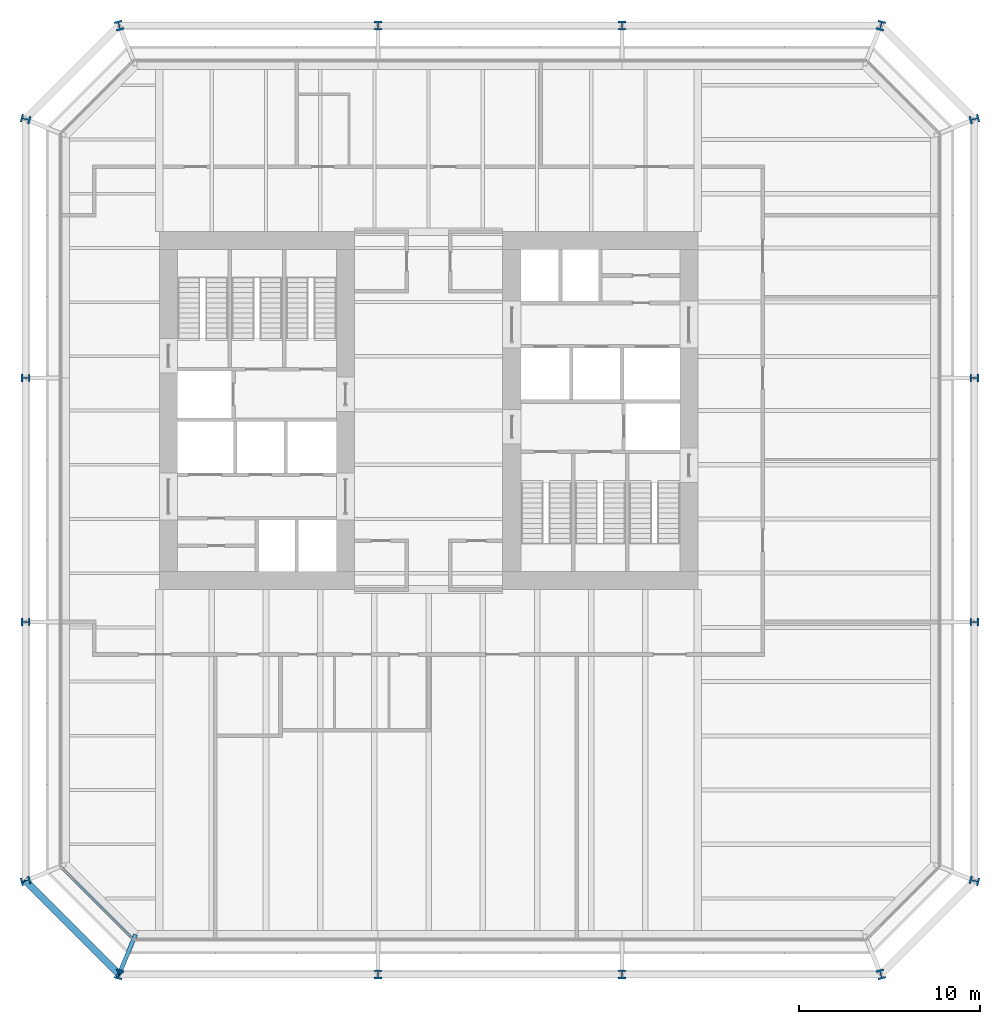
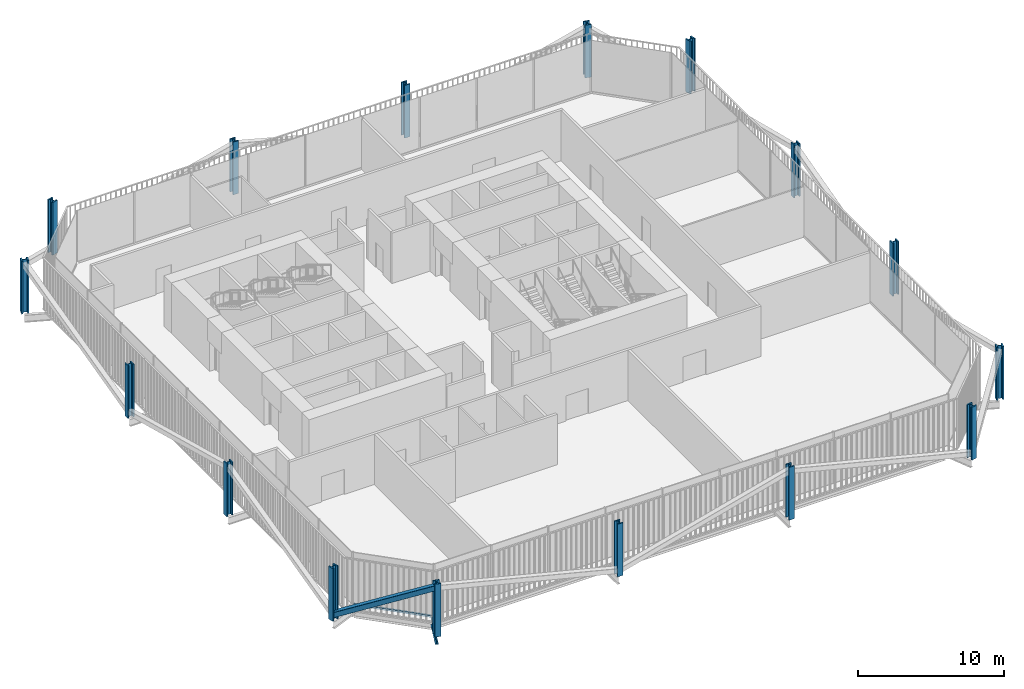
# One storey, part 1 of 21: 16 columns, 2 members, 1 beam, 1 element without a shape of its own.
"""IFC4 building model written with IfcOpenShell, lengths in metres."""

import ifcopenshell
import ifcopenshell.guid

model = None  # the IFC model being written
_history = None  # IfcOwnerHistory: only IFC2X3 demands one
_inside = {}  # id of a spatial element -> (the spatial element, [elements in it])
_under = {}  # id of a project, library or spatial element -> (it, [spatial elements below it])
_declared = {}  # id of a project -> (the project, [libraries it declares])
_typed = {}  # id of a type object -> (the type object, [elements of that type])
_made_of = {}  # id of a material, layer set ... -> (it, [elements and type objects made of it])


def new_model(schema):
    """Start an empty IFC model of exactly this schema.

    Asked for "IFC4X3", IfcOpenShell would pick the latest addendum, in which some entities
    have other attributes; the version numbers below select the first issue.
    IFC2X3 requires an IfcOwnerHistory on every rooted entity: one is made here for all.
    """
    global model, _history
    if schema == "IFC4X3":
        model = ifcopenshell.file(schema_version=(4, 3, 0, 0))
    else:
        model = ifcopenshell.file(schema=schema)
    _inside.clear()
    _under.clear()
    _declared.clear()
    _typed.clear()
    _made_of.clear()
    _history = None
    if model.schema == "IFC2X3":
        org = make("IfcOrganization", Name="unknown")
        user = make(
            "IfcPersonAndOrganization",
            ThePerson=make("IfcPerson", FamilyName="unknown"),
            TheOrganization=org,
        )
        app = make(
            "IfcApplication",
            ApplicationDeveloper=org,
            Version="unknown",
            ApplicationFullName="unknown",
            ApplicationIdentifier="unknown",
        )
        _history = make(
            "IfcOwnerHistory",
            OwningUser=user,
            OwningApplication=app,
            ChangeAction="ADDED",
            CreationDate=0,
        )
    return model


def make(cls, **values):
    """One entity of the class cls with the attributes given. An attribute that is None is left unset."""
    return model.create_entity(
        cls, **{name: value for name, value in values.items() if value is not None}
    )


def rooted(cls, **values):
    """An entity with a GlobalId (a new one), such as an element, a storey or a relation."""
    return make(cls, GlobalId=ifcopenshell.guid.new(), OwnerHistory=_history, **values)


def si_unit(unit_type, name, prefix=None):
    """IfcSIUnit, for example si_unit("LENGTHUNIT", "METRE", prefix="MILLI")."""
    return make("IfcSIUnit", UnitType=unit_type, Prefix=prefix, Name=name)


def assignment(units):
    """IfcUnitAssignment: the units of a project."""
    return None if units is None else make("IfcUnitAssignment", Units=units)


def point(xyz):
    """IfcCartesianPoint."""
    return None if xyz is None else make("IfcCartesianPoint", Coordinates=xyz)


def direction(xyz):
    """IfcDirection."""
    return None if xyz is None else make("IfcDirection", DirectionRatios=xyz)


def frame(location, z_axis=None, x_axis=None):
    """IfcAxis2Placement3D, a coordinate frame: its origin and axes. An axis left out is left unset."""
    return make(
        "IfcAxis2Placement3D",
        Location=point(location),
        Axis=direction(z_axis),
        RefDirection=direction(x_axis),
    )


def frame_2d(location, x_axis=None):
    """IfcAxis2Placement2D, a coordinate frame in the plane: its origin and x axis."""
    return make(
        "IfcAxis2Placement2D", Location=point(location), RefDirection=direction(x_axis)
    )


def origin():
    """The frame at (0, 0, 0) with its axes left unset."""
    return frame((0.0, 0.0, 0.0))


def origin_2d():
    """The frame at (0, 0) in the plane with its x axis left unset."""
    return frame_2d((0.0, 0.0))


def place(relative_to, where):
    """IfcLocalPlacement: puts the frame where relative to a parent placement (None: the world)."""
    return make(
        "IfcLocalPlacement", PlacementRelTo=relative_to, RelativePlacement=where
    )


def context(
    kind, dimensions, precision=None, world=None, true_north=None, identifier=None
):
    """IfcGeometricRepresentationContext, for example the 3D "Model" context."""
    return make(
        "IfcGeometricRepresentationContext",
        ContextIdentifier=identifier,
        ContextType=kind,
        CoordinateSpaceDimension=dimensions,
        Precision=precision,
        WorldCoordinateSystem=world,
        TrueNorth=true_north,
    )


def subcontext(parent, identifier, kind, view, scale=None):
    """IfcGeometricRepresentationSubContext, for example "Body" below "Model"."""
    return make(
        "IfcGeometricRepresentationSubContext",
        ContextIdentifier=identifier,
        ContextType=kind,
        ParentContext=parent,
        TargetScale=scale,
        TargetView=view,
    )


def project(units=None, contexts=None):
    """IfcProject with its units and contexts."""
    return rooted(
        "IfcProject",
        Name="project",
        RepresentationContexts=contexts,
        UnitsInContext=assignment(units),
    )


def spatial(cls, under=None, at=None, **own):
    """A site, building, storey or space (cls), placed at a placement, below another one or the project."""
    s = rooted(cls, ObjectPlacement=at, **own)
    if under is not None:
        _under.setdefault(under.id(), (under, []))[1].append(s)
    return s


def profile(cls, at=None, kind="AREA", **sizes):
    """A parametric profile (cls). Its sizes go by their IFC names, for example OverallWidth=200.0."""
    return make(cls, ProfileType=kind, Position=at, **sizes)


def rectangle(**sizes):
    """IfcRectangleProfileDef."""
    return profile("IfcRectangleProfileDef", **sizes)


def hollow_rectangle(**sizes):
    """IfcRectangleHollowProfileDef."""
    return profile("IfcRectangleHollowProfileDef", **sizes)


def i_section(**sizes):
    """IfcIShapeProfileDef."""
    return profile("IfcIShapeProfileDef", **sizes)


def extrude(swept, where, along, depth):
    """IfcExtrudedAreaSolid: the profile swept, set in the frame where, extruded along a direction by depth."""
    return make(
        "IfcExtrudedAreaSolid",
        SweptArea=swept,
        Position=where,
        ExtrudedDirection=direction(along),
        Depth=depth,
    )


def shape(context_of_items, identifier, shape_type, items):
    """IfcShapeRepresentation: the items that make up one representation, for example the "Body"."""
    return make(
        "IfcShapeRepresentation",
        ContextOfItems=context_of_items,
        RepresentationIdentifier=identifier,
        RepresentationType=shape_type,
        Items=items,
    )


def material(Name=None, Category=None):
    """IfcMaterial."""
    return make("IfcMaterial", Name=Name, Category=Category)


def layer(
    of_material, thickness, ventilated=None, Name=None, Category=None, Priority=None
):
    """IfcMaterialLayer: one layer of a wall or slab, of a material (None: an air gap)."""
    return make(
        "IfcMaterialLayer",
        Material=of_material,
        LayerThickness=thickness,
        IsVentilated=ventilated,
        Name=Name,
        Category=Category,
        Priority=Priority,
    )


def layer_set(layers, Name=None):
    """IfcMaterialLayerSet."""
    return make("IfcMaterialLayerSet", MaterialLayers=layers, LayerSetName=Name)


def material_profile(
    of_material, cross_section, Name=None, Category=None, Priority=None
):
    """IfcMaterialProfile: a cross section and its material."""
    return make(
        "IfcMaterialProfile",
        Name=Name,
        Material=of_material,
        Profile=cross_section,
        Priority=Priority,
        Category=Category,
    )


def profile_set(profiles, Name=None, composite=None):
    """IfcMaterialProfileSet."""
    return make(
        "IfcMaterialProfileSet",
        Name=Name,
        MaterialProfiles=profiles,
        CompositeProfile=composite,
    )


def made_of(thing, what):
    """Note that an element or type object is made of a material, layer set ...; save() writes the relation."""
    if what is not None:
        _made_of.setdefault(what.id(), (what, []))[1].append(thing)
    return thing


def type_object(cls, material=None, **own):
    """A type object (cls), such as IfcWallType, which elements share."""
    return made_of(rooted(cls, **own), material)


def element(
    cls,
    number,
    at=None,
    inside=None,
    cuts=None,
    type_object=None,
    material=None,
    context=None,
    identifier="Body",
    shape_type=None,
    held_by="IfcProductDefinitionShape",
    body=None,
    shapes=None,
    **own,
):
    """One element of the class cls, such as IfcWall. Its Tag is "e" and its number.

    at: its placement. inside: the storey or other place that contains it. cuts: it is an
    opening in that element (IfcRelVoidsElement). A single representation is given by context,
    identifier, shape_type and body (its items); several are given by shapes. held_by: the class
    of the entity that holds the representations. save() writes the other relations.
    """
    e = rooted(cls, Tag="e%d" % number, ObjectPlacement=at, **own)
    if body is not None:
        shapes = [shape(context, identifier, shape_type, body)]
    if shapes is not None:
        e.Representation = make(held_by, Representations=shapes)
    if inside is not None:
        _inside.setdefault(inside.id(), (inside, []))[1].append(e)
    if cuts is not None:
        rooted(
            "IfcRelVoidsElement", RelatingBuildingElement=cuts, RelatedOpeningElement=e
        )
    if type_object is not None:
        _typed.setdefault(type_object.id(), (type_object, []))[1].append(e)
    return made_of(e, material)


def aggregate(whole, parts):
    """IfcRelAggregates: a whole, such as a stair, and the parts it consists of."""
    return rooted("IfcRelAggregates", RelatingObject=whole, RelatedObjects=parts)


def save(model, path):
    """Write the relations noted so far, then the file.

    IfcRelAggregates (storeys below a building ...), IfcRelContainedInSpatialStructure (elements
    in a storey), IfcRelDefinesByType, IfcRelAssociatesMaterial and IfcRelDeclares: one each for
    every whole, place, type object, material and project.
    """
    for whole, parts in _under.values():
        aggregate(whole, parts)
    for where, things in _inside.values():
        rooted(
            "IfcRelContainedInSpatialStructure",
            RelatedElements=things,
            RelatingStructure=where,
        )
    for kind, things in _typed.values():
        rooted("IfcRelDefinesByType", RelatedObjects=things, RelatingType=kind)
    for what, things in _made_of.values():
        rooted("IfcRelAssociatesMaterial", RelatedObjects=things, RelatingMaterial=what)
    for by, libraries in _declared.values():
        rooted("IfcRelDeclares", RelatingContext=by, RelatedDefinitions=libraries)
    model.write(path)


model = new_model("IFC4")

# Units and contexts
model_context = context("Model", 3, precision=1e-05, world=origin(), true_north=direction((0.0, 1.0)))
body_context = subcontext(model_context, "Body", "Model", "MODEL_VIEW")
ifc_project = project(units=[si_unit("LENGTHUNIT", "METRE"), si_unit("AREAUNIT", "SQUARE_METRE"), si_unit("VOLUMEUNIT", "CUBIC_METRE"), si_unit("PLANEANGLEUNIT", "RADIAN"), si_unit("MASSUNIT", "GRAM", prefix="KILO")], contexts=[model_context])

# Site, building, storey
site_placement = place(None, origin())
site = spatial("IfcSite", under=ifc_project, at=site_placement, CompositionType="ELEMENT")
building_placement = place(site_placement, origin())
building = spatial("IfcBuilding", under=site, at=building_placement, Name="Millrace Tower", CompositionType="ELEMENT")
storey_placement = place(building_placement, frame((0.0, 0.0, 90.800048828125)))
storey = spatial("IfcBuildingStorey", under=building, at=storey_placement, Name="L20", CompositionType="ELEMENT", Elevation=90.800048828125)

# Columns
ifc_material_1 = material(Name="Steel ASTM A913 Grade 65", Category="steel")
ifc_material_profile_1 = material_profile(ifc_material_1, i_section(OverallWidth=0.431884765625, OverallDepth=0.497802734375, WebThickness=0.0556640625, FlangeThickness=0.0888671875, FilletRadius=0.01513671875, at=origin_2d()))
ifc_profile_set_1 = profile_set([ifc_material_profile_1], Name="Steel ASTM A913 Grade 65")
column_type_1 = type_object("IfcColumnType", Name="Exoskeleton column W14x500", PredefinedType="COLUMN", material=ifc_profile_set_1)
for number, where, z_axis, x_axis, name in (
    (1, (-2.800048828125, -31.199951171875, 0.0), (0.0, 0.0, 1.0), (1.0, 0.0, 0.0), "COL-B-L20-X03"),
    (2, (10.699951171875, -31.199951171875, 0.0), (0.0, 0.0, 1.0), (1.0, 0.0, 0.0), "COL-B-L20-X04"),
    (3, (30.199951171875, -11.699951171875, 0.0), (0.0, 0.0, 1.0), (0.0, 1.0, 0.0), "COL-B-L20-X07"),
    (4, (30.199951171875, 1.800048828125, 0.0), (0.0, 0.0, 1.0), (0.0, 1.0, 0.0), "COL-B-L20-X08"),
    (5, (10.699951171875, 21.300048828125, 0.0), (0.0, 0.0, 1.0), (-1.0, 0.0, 0.0), "COL-B-L20-X11"),
    (6, (-2.800048828125, 21.300048828125, 0.0), (0.0, 0.0, 1.0), (-1.0, 0.0, 0.0), "COL-B-L20-X12"),
    (7, (-22.300048828125, 1.800048828125, 0.0), (0.0, 0.0, 1.0), (0.0, -1.0, 0.0), "COL-B-L20-X15"),
    (8, (-22.300048828125, -11.699951171875, 0.0), (0.0, 0.0, 1.0), (0.0, -1.0, 0.0), "COL-B-L20-X16"),
):
    element("IfcColumn", number, at=place(storey_placement, frame(where, z_axis=z_axis, x_axis=x_axis)), inside=storey, type_object=column_type_1, Name=name, PredefinedType="COLUMN", context=body_context, shape_type="SweptSolid", body=[
        extrude(i_section(OverallWidth=0.431884765625, OverallDepth=0.497802734375, WebThickness=0.0556640625, FlangeThickness=0.0888671875, FilletRadius=0.01513671875, at=origin_2d()), origin(), (0.0, 0.0, 1.0), 4.39990234375),
    ])
ifc_material_2 = material(Name="Steel ASTM A913 Grade 65", Category="steel")
ifc_material_profile_2 = material_profile(ifc_material_2, i_section(OverallWidth=0.44189453125, OverallDepth=0.53076171875, WebThickness=0.06591796875, FlangeThickness=0.105712890625, FilletRadius=0.01513671875, at=origin_2d()))
ifc_profile_set_2 = profile_set([ifc_material_profile_2], Name="Steel ASTM A913 Grade 65")
column_type_2 = type_object("IfcColumnType", Name="Exoskeleton column W14x605", PredefinedType="COLUMN", material=ifc_profile_set_2)
for number, where, z_axis, x_axis, name in (
    (9, (-22.300048828125, -26.0283203125, 0.0), (0.0, 0.0, 1.0), (0.256346878353, -0.966584852953, 0.0), "COL-B-L20-X01"),
    (10, (-17.12841796875, -31.199951171875, 0.0), (0.0, 0.0, 1.0), (0.966584852953, -0.256346878353, 0.0), "COL-B-L20-X02"),
    (11, (25.0283203125, -31.199951171875, 0.0), (0.0, 0.0, 1.0), (0.966584852953, 0.256346878353, 0.0), "COL-B-L20-X05"),
    (12, (30.199951171875, -26.0283203125, 0.0), (0.0, 0.0, 1.0), (0.256346878353, 0.966584852953, 0.0), "COL-B-L20-X06"),
    (13, (30.199951171875, 16.12841796875, 0.0), (0.0, 0.0, 1.0), (-0.256346878353, 0.966584852953, 0.0), "COL-B-L20-X09"),
    (14, (25.0283203125, 21.300048828125, 0.0), (0.0, 0.0, 1.0), (-0.966584852953, 0.256346878353, 0.0), "COL-B-L20-X10"),
    (15, (-17.12841796875, 21.300048828125, 0.0), (0.0, 0.0, 1.0), (-0.966584852953, -0.256346878353, 0.0), "COL-B-L20-X13"),
    (16, (-22.300048828125, 16.12841796875, 0.0), (0.0, 0.0, 1.0), (-0.256346878353, -0.966584852953, 0.0), "COL-B-L20-X14"),
):
    element("IfcColumn", number, at=place(storey_placement, frame(where, z_axis=z_axis, x_axis=x_axis)), inside=storey, type_object=column_type_2, Name=name, PredefinedType="COLUMN", context=body_context, shape_type="SweptSolid", body=[
        extrude(i_section(OverallWidth=0.44189453125, OverallDepth=0.53076171875, WebThickness=0.06591796875, FlangeThickness=0.105712890625, FilletRadius=0.01513671875, at=origin_2d()), origin(), (0.0, 0.0, 1.0), 4.39990234375),
    ])

# Curtain wall, member
ifc_material_3 = material(Name="Aluminium and glass", Category="aluminium")
ifc_layer = layer(ifc_material_3, 0.14990234375)
ifc_layer_set = layer_set([ifc_layer], Name="Aluminium and glass")
curtain_wall_type = type_object("IfcCurtainWallType", Name="CW-3 telecom floor curtain wall", PredefinedType="NOTDEFINED", material=ifc_layer_set)
curtain_wall_placement = place(storey_placement, origin())
curtain_wall = element("IfcCurtainWall", 17, at=curtain_wall_placement, inside=storey, type_object=curtain_wall_type, Name="Curtain wall B-F01 L20", PredefinedType="NOTDEFINED")
ifc_material_4 = material(Name="Aluminium", Category="aluminium")
ifc_material_profile_3 = material_profile(ifc_material_4, rectangle(XDim=0.14990234375, YDim=0.14990234375, at=origin_2d()))
ifc_profile_set_3 = profile_set([ifc_material_profile_3], Name="Aluminium")
member_type_1 = type_object("IfcMemberType", Name="CW-3 telecom floor curtain wall transom", PredefinedType="USERDEFINED", material=ifc_profile_set_3)
member_1_placement = place(storey_placement, frame((-20.2822265625, -25.32373046875, 0.074951171875), z_axis=(0.707084410407, -0.707129151258, 0.0), x_axis=(0.707129151258, 0.707084410407, 0.0)))
member_1 = element("IfcMember", 18, at=member_1_placement, type_object=member_type_1, Name="CW3 transom B-F01.1", ObjectType="TRANSOM", PredefinedType="USERDEFINED", context=body_context, shape_type="SweptSolid", body=[
    extrude(rectangle(XDim=0.14990234375, YDim=0.14990234375, at=origin_2d()), origin(), (0.0, 0.0, 1.0), 5.456787109375),
])
aggregate(curtain_wall, [member_1])

# Member
ifc_material_5 = material(Name="Steel ASTM A500 Grade C", Category="steel")
ifc_material_profile_4 = material_profile(ifc_material_5, hollow_rectangle(XDim=0.406494140625, YDim=0.406494140625, WallThickness=0.015869140625, InnerFilletRadius=0.008056640625, OuterFilletRadius=0.02392578125, at=origin_2d()))
ifc_profile_set_4 = profile_set([ifc_material_profile_4], Name="Steel ASTM A500 Grade C")
member_type_2 = type_object("IfcMemberType", Name="Exoskeleton brace HSS16x16x5/8", PredefinedType="BRACE", material=ifc_profile_set_4)
member_2_placement = place(storey_placement, frame((-22.300048828125, -26.0283203125, 0.39990234375), z_axis=(0.634413949017, -0.634413949017, 0.441630934816), x_axis=(0.707106781187, 0.707106781187, 0.0)))
element("IfcMember", 19, at=member_2_placement, inside=storey, type_object=member_type_2, Name="BRC-B-L20-01", PredefinedType="BRACE", context=body_context, shape_type="SweptSolid", body=[
    extrude(hollow_rectangle(XDim=0.406494140625, YDim=0.406494140625, WallThickness=0.015869140625, InnerFilletRadius=0.008056640625, OuterFilletRadius=0.02392578125, at=origin_2d()), origin(), (0.0, 0.0, 1.0), 8.15185546875),
])

# Beam
ifc_material_6 = material(Name="Steel ASTM A992 Grade 50", Category="steel")
ifc_material_profile_5 = material_profile(ifc_material_6, i_section(OverallWidth=0.23046875, OverallDepth=0.6171875, WebThickness=0.01318359375, FlangeThickness=0.022216796875, FilletRadius=0.012939453125, at=origin_2d()))
ifc_profile_set_5 = profile_set([ifc_material_profile_5], Name="Steel ASTM A992 Grade 50")
beam_type = type_object("IfcBeamType", Name="Link beam W24x94", PredefinedType="BEAM", material=ifc_profile_set_5)
beam_placement = place(storey_placement, frame((-16.213134765625, -28.990478515625, -0.508544921875), z_axis=(-0.382715433277, -0.92386627665, 0.0), x_axis=(0.92386627665, -0.382715433277, 0.0)))
element("IfcBeam", 20, at=beam_placement, inside=storey, type_object=beam_type, Name="LNK-B-L20-S1-16", PredefinedType="BEAM", context=body_context, shape_type="SweptSolid", body=[
    extrude(i_section(OverallWidth=0.23046875, OverallDepth=0.6171875, WebThickness=0.01318359375, FlangeThickness=0.022216796875, FilletRadius=0.012939453125, at=origin_2d()), origin(), (0.0, 0.0, 1.0), 2.3916015625),
])

save(model, "model.ifc")
